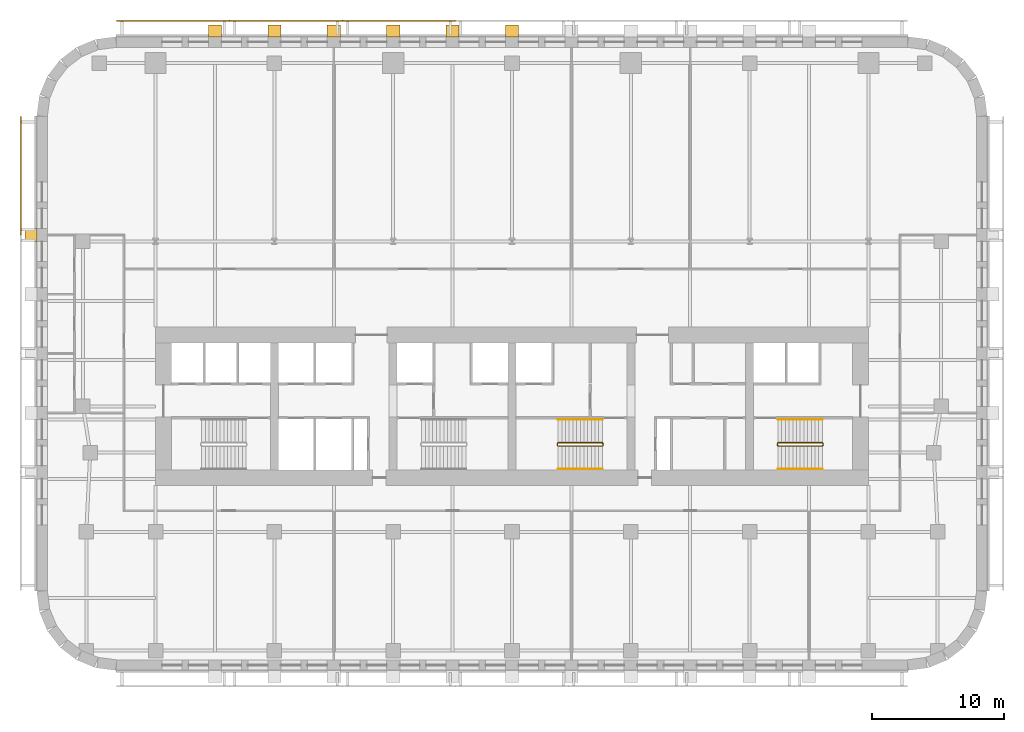
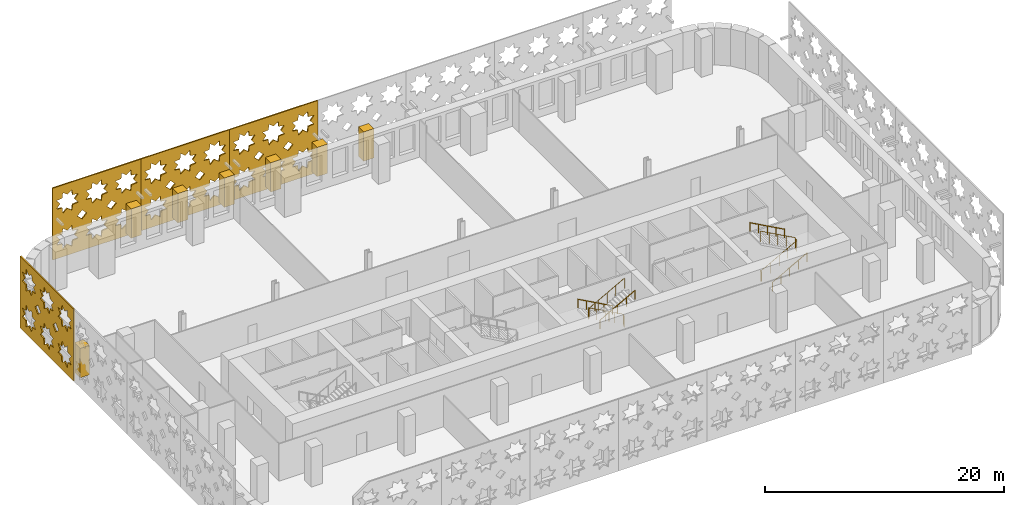
# One storey, part 12 of 14: 11 coverings, 6 railings.
"""IFC4 building model written with IfcOpenShell, lengths in metres."""

from ifc_helpers import new_model, si_unit, direction, frame, origin, origin_2d, place, context, subcontext, project, spatial, polyline, circle, outline, extrude, material, layer, layer_set, type_object, element, save


model = new_model("IFC4")

# Units and contexts
model_context = context("Model", 3, precision=1e-05, world=origin(), true_north=direction((0.0, 1.0)))
body_context = subcontext(model_context, "Body", "Model", "MODEL_VIEW")
ifc_project = project(units=[si_unit("LENGTHUNIT", "METRE"), si_unit("AREAUNIT", "SQUARE_METRE"), si_unit("VOLUMEUNIT", "CUBIC_METRE"), si_unit("PLANEANGLEUNIT", "RADIAN"), si_unit("MASSUNIT", "GRAM", prefix="KILO")], contexts=[model_context])

# Site, building, storey
site_placement = place(None, origin())
site = spatial("IfcSite", under=ifc_project, at=site_placement, CompositionType="ELEMENT")
building_placement = place(site_placement, origin())
building = spatial("IfcBuilding", under=site, at=building_placement, Name="Zellij Exchange Tower", CompositionType="ELEMENT")
storey_placement = place(building_placement, frame((0.0, 0.0, 68.5)))
storey = spatial("IfcBuildingStorey", under=building, at=storey_placement, Name="L13", CompositionType="ELEMENT", Elevation=68.5)

# Railings
ifc_material_1 = material(Name="Stainless steel", Category="steel")
railing_type_1 = type_object("IfcRailingType", Name="CORE-RG stair guard", PredefinedType="GUARDRAIL", material=ifc_material_1)
railing_1_placement = place(storey_placement, frame((6.89990234375, -10.800048828125, 0.0)))
element("IfcRailing", 1, at=railing_1_placement, inside=storey, type_object=railing_type_1, Name="ST3 stair guard L13", PredefinedType="GUARDRAIL", context=body_context, shape_type="SweptSolid", body=[
    extrude(circle(Radius=0.02392578125, at=origin_2d()), frame((0.0, 0.0, 1.076171875), z_axis=(0.0, -1.0, 0.0), x_axis=(1.0, 0.0, 0.0)), (0.0, 0.0, 1.0), 0.14990234375),
    extrude(circle(Radius=0.02392578125, at=origin_2d()), frame((0.0, -0.14990234375, 1.076171875), z_axis=(-0.193691321961, 0.777613689637, 0.598164376644), x_axis=(-0.970351222016, -0.241699205484, 0.0)), (0.0, 0.0, 1.0), 0.257080078125),
    extrude(circle(Radius=0.02392578125, at=origin_2d()), frame((-0.0498046875, 0.050048828125, 1.22998046875), z_axis=(-0.876421534553, 0.0, 0.481544695509), x_axis=(0.0, -1.0, 0.0)), (0.0, 0.0, 1.0), 3.833984375),
    extrude(circle(Radius=0.02392578125, at=origin_2d()), frame((-3.409912109375, 0.050048828125, 3.076171875), z_axis=(-0.707106781187, -0.707106781187, 0.0), x_axis=(0.707106781187, -0.707106781187, 0.0)), (0.0, 0.0, 1.0), 0.07080078125),
    extrude(circle(Radius=0.02392578125, at=origin_2d()), frame((-3.4599609375, 0.0, 3.076171875), z_axis=(0.0, -1.0, 0.0), x_axis=(1.0, 0.0, 0.0)), (0.0, 0.0, 1.0), 0.14990234375),
    extrude(circle(Radius=0.02392578125, at=origin_2d()), frame((-3.4599609375, -0.14990234375, 3.076171875), z_axis=(0.295599637079, -0.295599637079, 0.908428152975), x_axis=(0.707106781187, 0.707106781187, 0.0)), (0.0, 0.0, 1.0), 0.16943359375),
    extrude(circle(Radius=0.02392578125, at=origin_2d()), frame((-3.409912109375, -0.199951171875, 3.22998046875), z_axis=(0.876421534553, 0.0, 0.481544695509), x_axis=(0.0, 1.0, 0.0)), (0.0, 0.0, 1.0), 3.833984375),
    extrude(circle(Radius=0.02099609375, at=origin_2d()), origin(), (0.0, 0.0, 1.0), 1.052001953125),
    extrude(circle(Radius=0.02099609375, at=origin_2d()), frame((0.0, -0.14990234375, 0.0)), (0.0, 0.0, 1.0), 1.052001953125),
    extrude(circle(Radius=0.02099609375, at=origin_2d()), frame((-0.0498046875, 0.050048828125, 0.15380859375)), (0.0, 0.0, 1.0), 1.052001953125),
    extrude(circle(Radius=0.02099609375, at=origin_2d()), frame((-0.889892578125, 0.050048828125, 0.615234375)), (0.0, 0.0, 1.0), 1.052001953125),
    extrude(circle(Radius=0.02099609375, at=origin_2d()), frame((-1.72998046875, 0.050048828125, 1.076904296875)), (0.0, 0.0, 1.0), 1.052001953125),
    extrude(circle(Radius=0.02099609375, at=origin_2d()), frame((-2.56982421875, 0.050048828125, 1.53857421875)), (0.0, 0.0, 1.0), 1.052001953125),
    extrude(circle(Radius=0.02099609375, at=origin_2d()), frame((-3.409912109375, 0.050048828125, 2.0)), (0.0, 0.0, 1.0), 1.052001953125),
    extrude(circle(Radius=0.02099609375, at=origin_2d()), frame((-3.4599609375, 0.0, 2.0)), (0.0, 0.0, 1.0), 1.052001953125),
    extrude(circle(Radius=0.02099609375, at=origin_2d()), frame((-3.4599609375, -0.14990234375, 2.0)), (0.0, 0.0, 1.0), 1.052001953125),
    extrude(circle(Radius=0.02099609375, at=origin_2d()), frame((-3.409912109375, -0.199951171875, 2.15380859375)), (0.0, 0.0, 1.0), 1.052001953125),
    extrude(circle(Radius=0.02099609375, at=origin_2d()), frame((-2.56982421875, -0.199951171875, 2.615234375)), (0.0, 0.0, 1.0), 1.052001953125),
    extrude(circle(Radius=0.02099609375, at=origin_2d()), frame((-1.72998046875, -0.199951171875, 3.076904296875)), (0.0, 0.0, 1.0), 1.052001953125),
    extrude(circle(Radius=0.02099609375, at=origin_2d()), frame((-0.889892578125, -0.199951171875, 3.53857421875)), (0.0, 0.0, 1.0), 1.052001953125),
    extrude(circle(Radius=0.02099609375, at=origin_2d()), frame((-0.0498046875, -0.199951171875, 4.0)), (0.0, 0.0, 1.0), 1.052001953125),
])
railing_2_placement = place(storey_placement, frame((20.10009765625, -10.949951171875, 0.0)))
element("IfcRailing", 2, at=railing_2_placement, inside=storey, type_object=railing_type_1, Name="ST4 stair guard L13", PredefinedType="GUARDRAIL", context=body_context, shape_type="SweptSolid", body=[
    extrude(circle(Radius=0.02392578125, at=origin_2d()), frame((0.0, 0.0, 1.076171875), z_axis=(0.0, 1.0, 0.0), x_axis=(-1.0, 0.0, 0.0)), (0.0, 0.0, 1.0), 0.14990234375),
    extrude(circle(Radius=0.02392578125, at=origin_2d()), frame((0.0, 0.14990234375, 1.076171875), z_axis=(0.193691321961, -0.777613689637, 0.598164376644), x_axis=(0.970351222016, 0.241699205484, 0.0)), (0.0, 0.0, 1.0), 0.257080078125),
    extrude(circle(Radius=0.02392578125, at=origin_2d()), frame((0.0498046875, -0.050048828125, 1.22998046875), z_axis=(0.876421534553, 0.0, 0.481544695509), x_axis=(0.0, 1.0, 0.0)), (0.0, 0.0, 1.0), 3.833984375),
    extrude(circle(Radius=0.02392578125, at=origin_2d()), frame((3.409912109375, -0.050048828125, 3.076171875), z_axis=(0.707106781187, 0.707106781187, 0.0), x_axis=(-0.707106781187, 0.707106781187, 0.0)), (0.0, 0.0, 1.0), 0.07080078125),
    extrude(circle(Radius=0.02392578125, at=origin_2d()), frame((3.4599609375, 0.0, 3.076171875), z_axis=(0.0, 1.0, 0.0), x_axis=(-1.0, 0.0, 0.0)), (0.0, 0.0, 1.0), 0.14990234375),
    extrude(circle(Radius=0.02392578125, at=origin_2d()), frame((3.4599609375, 0.14990234375, 3.076171875), z_axis=(-0.295599637079, 0.295599637079, 0.908428152975), x_axis=(-0.707106781187, -0.707106781187, 0.0)), (0.0, 0.0, 1.0), 0.16943359375),
    extrude(circle(Radius=0.02392578125, at=origin_2d()), frame((3.409912109375, 0.199951171875, 3.22998046875), z_axis=(-0.876421534553, 0.0, 0.481544695509), x_axis=(0.0, -1.0, 0.0)), (0.0, 0.0, 1.0), 3.833984375),
    extrude(circle(Radius=0.02099609375, at=origin_2d()), origin(), (0.0, 0.0, 1.0), 1.052001953125),
    extrude(circle(Radius=0.02099609375, at=origin_2d()), frame((0.0, 0.14990234375, 0.0)), (0.0, 0.0, 1.0), 1.052001953125),
    extrude(circle(Radius=0.02099609375, at=origin_2d()), frame((0.0498046875, -0.050048828125, 0.15380859375)), (0.0, 0.0, 1.0), 1.052001953125),
    extrude(circle(Radius=0.02099609375, at=origin_2d()), frame((0.889892578125, -0.050048828125, 0.615234375)), (0.0, 0.0, 1.0), 1.052001953125),
    extrude(circle(Radius=0.02099609375, at=origin_2d()), frame((1.72998046875, -0.050048828125, 1.076904296875)), (0.0, 0.0, 1.0), 1.052001953125),
    extrude(circle(Radius=0.02099609375, at=origin_2d()), frame((2.56982421875, -0.050048828125, 1.53857421875)), (0.0, 0.0, 1.0), 1.052001953125),
    extrude(circle(Radius=0.02099609375, at=origin_2d()), frame((3.409912109375, -0.050048828125, 2.0)), (0.0, 0.0, 1.0), 1.052001953125),
    extrude(circle(Radius=0.02099609375, at=origin_2d()), frame((3.4599609375, 0.0, 2.0)), (0.0, 0.0, 1.0), 1.052001953125),
    extrude(circle(Radius=0.02099609375, at=origin_2d()), frame((3.4599609375, 0.14990234375, 2.0)), (0.0, 0.0, 1.0), 1.052001953125),
    extrude(circle(Radius=0.02099609375, at=origin_2d()), frame((3.409912109375, 0.199951171875, 2.15380859375)), (0.0, 0.0, 1.0), 1.052001953125),
    extrude(circle(Radius=0.02099609375, at=origin_2d()), frame((2.56982421875, 0.199951171875, 2.615234375)), (0.0, 0.0, 1.0), 1.052001953125),
    extrude(circle(Radius=0.02099609375, at=origin_2d()), frame((1.72998046875, 0.199951171875, 3.076904296875)), (0.0, 0.0, 1.0), 1.052001953125),
    extrude(circle(Radius=0.02099609375, at=origin_2d()), frame((0.889892578125, 0.199951171875, 3.53857421875)), (0.0, 0.0, 1.0), 1.052001953125),
    extrude(circle(Radius=0.02099609375, at=origin_2d()), frame((0.0498046875, 0.199951171875, 4.0)), (0.0, 0.0, 1.0), 1.052001953125),
])
railing_type_2 = type_object("IfcRailingType", Name="CORE-RH stair handrail", PredefinedType="HANDRAIL", material=ifc_material_1)
railing_3_placement = place(storey_placement, frame((6.85009765625, -9.0, 0.15380859375)))
element("IfcRailing", 3, at=railing_3_placement, inside=storey, type_object=railing_type_2, Name="ST3 stair handrail L13", PredefinedType="HANDRAIL", context=body_context, shape_type="SweptSolid", body=[
    extrude(circle(Radius=0.02392578125, at=origin_2d()), frame((0.0, 0.0, 0.8759765625), z_axis=(-0.876421534553, 0.0, 0.481544695509), x_axis=(0.0, -1.0, 0.0)), (0.0, 0.0, 1.0), 3.833984375),
    extrude(circle(Radius=0.02099609375, at=origin_2d()), origin(), (0.0, 0.0, 1.0), 0.851806640625),
    extrude(circle(Radius=0.02099609375, at=origin_2d()), frame((-0.840087890625, 0.0, 0.46142578125)), (0.0, 0.0, 1.0), 0.851806640625),
    extrude(circle(Radius=0.02099609375, at=origin_2d()), frame((-1.68017578125, 0.0, 0.923095703125)), (0.0, 0.0, 1.0), 0.851806640625),
    extrude(circle(Radius=0.02099609375, at=origin_2d()), frame((-2.52001953125, 0.0, 1.384765625)), (0.0, 0.0, 1.0), 0.851806640625),
    extrude(circle(Radius=0.02099609375, at=origin_2d()), frame((-3.360107421875, 0.0, 1.84619140625)), (0.0, 0.0, 1.0), 0.851806640625),
])
for number, where, name in (
    (4, (3.489990234375, -12.75, 2.15380859375), "ST3 stair handrail L13"),
    (5, (20.14990234375, -12.75, 0.15380859375), "ST4 stair handrail L13"),
):
    element("IfcRailing", number, at=place(storey_placement, frame(where)), inside=storey, type_object=railing_type_2, Name=name, PredefinedType="HANDRAIL", context=body_context, shape_type="SweptSolid", body=[
        extrude(circle(Radius=0.02392578125, at=origin_2d()), frame((0.0, 0.0, 0.8759765625), z_axis=(0.876421534553, 0.0, 0.481544695509), x_axis=(0.0, 1.0, 0.0)), (0.0, 0.0, 1.0), 3.833984375),
        extrude(circle(Radius=0.02099609375, at=origin_2d()), origin(), (0.0, 0.0, 1.0), 0.851806640625),
        extrude(circle(Radius=0.02099609375, at=origin_2d()), frame((0.840087890625, 0.0, 0.46142578125)), (0.0, 0.0, 1.0), 0.851806640625),
        extrude(circle(Radius=0.02099609375, at=origin_2d()), frame((1.68017578125, 0.0, 0.923095703125)), (0.0, 0.0, 1.0), 0.851806640625),
        extrude(circle(Radius=0.02099609375, at=origin_2d()), frame((2.52001953125, 0.0, 1.384765625)), (0.0, 0.0, 1.0), 0.851806640625),
        extrude(circle(Radius=0.02099609375, at=origin_2d()), frame((3.360107421875, 0.0, 1.84619140625)), (0.0, 0.0, 1.0), 0.851806640625),
    ])
railing_4_placement = place(storey_placement, frame((23.510009765625, -9.0, 2.15380859375)))
element("IfcRailing", 6, at=railing_4_placement, inside=storey, type_object=railing_type_2, Name="ST4 stair handrail L13", PredefinedType="HANDRAIL", context=body_context, shape_type="SweptSolid", body=[
    extrude(circle(Radius=0.02392578125, at=origin_2d()), frame((0.0, 0.0, 0.8759765625), z_axis=(-0.876421534553, 0.0, 0.481544695509), x_axis=(0.0, -1.0, 0.0)), (0.0, 0.0, 1.0), 3.833984375),
    extrude(circle(Radius=0.02099609375, at=origin_2d()), origin(), (0.0, 0.0, 1.0), 0.851806640625),
    extrude(circle(Radius=0.02099609375, at=origin_2d()), frame((-0.840087890625, 0.0, 0.46142578125)), (0.0, 0.0, 1.0), 0.851806640625),
    extrude(circle(Radius=0.02099609375, at=origin_2d()), frame((-1.68017578125, 0.0, 0.923095703125)), (0.0, 0.0, 1.0), 0.851806640625),
    extrude(circle(Radius=0.02099609375, at=origin_2d()), frame((-2.52001953125, 0.0, 1.384765625)), (0.0, 0.0, 1.0), 0.851806640625),
    extrude(circle(Radius=0.02099609375, at=origin_2d()), frame((-3.360107421875, 0.0, 1.84619140625)), (0.0, 0.0, 1.0), 0.851806640625),
])

# Coverings
ifc_material_2 = material(Name="Limestone cladding", Category="masonry")
covering_type_1 = type_object("IfcCoveringType", Name="ENV-CV2 Stone pier 1000x900", PredefinedType="CLADDING", material=ifc_material_2)
covering_1_placement = place(storey_placement, frame((0.0, 0.0, 0.800048828125)))
element("IfcCovering", 7, at=covering_1_placement, inside=storey, type_object=covering_type_1, Name="Stone pier", PredefinedType="CLADDING", context=body_context, shape_type="SweptSolid", body=[
    extrude(outline(polyline([(0.5, 20.0), (-0.5, 20.0), (-0.5, 20.89990234375), (0.5, 20.89990234375), (0.5, 20.0)])), origin(), (0.0, 0.0, 1.0), 3.0),
])
covering_2_placement = place(storey_placement, frame((0.0, 0.0, 0.800048828125)))
element("IfcCovering", 8, at=covering_2_placement, inside=storey, type_object=covering_type_1, Name="Stone pier", PredefinedType="CLADDING", context=body_context, shape_type="SweptSolid", body=[
    extrude(outline(polyline([(-4.0, 20.0), (-5.0, 20.0), (-5.0, 20.89990234375), (-4.0, 20.89990234375), (-4.0, 20.0)])), origin(), (0.0, 0.0, 1.0), 3.0),
])
covering_3_placement = place(storey_placement, frame((0.0, 0.0, 0.800048828125)))
element("IfcCovering", 9, at=covering_3_placement, inside=storey, type_object=covering_type_1, Name="Stone pier", PredefinedType="CLADDING", context=body_context, shape_type="SweptSolid", body=[
    extrude(outline(polyline([(-8.5, 20.0), (-9.5, 20.0), (-9.5, 20.89990234375), (-8.5, 20.89990234375), (-8.5, 20.0)])), origin(), (0.0, 0.0, 1.0), 3.0),
])
covering_4_placement = place(storey_placement, frame((0.0, 0.0, 0.800048828125)))
element("IfcCovering", 10, at=covering_4_placement, inside=storey, type_object=covering_type_1, Name="Stone pier", PredefinedType="CLADDING", context=body_context, shape_type="SweptSolid", body=[
    extrude(outline(polyline([(-13.0, 20.0), (-14.0, 20.0), (-14.0, 20.89990234375), (-13.0, 20.89990234375), (-13.0, 20.0)])), origin(), (0.0, 0.0, 1.0), 3.0),
])
covering_5_placement = place(storey_placement, frame((0.0, 0.0, 0.800048828125)))
element("IfcCovering", 11, at=covering_5_placement, inside=storey, type_object=covering_type_1, Name="Stone pier", PredefinedType="CLADDING", context=body_context, shape_type="SweptSolid", body=[
    extrude(outline(polyline([(-17.5, 20.0), (-18.5, 20.0), (-18.5, 20.89990234375), (-17.5, 20.89990234375), (-17.5, 20.0)])), origin(), (0.0, 0.0, 1.0), 3.0),
])
covering_6_placement = place(storey_placement, frame((0.0, 0.0, 0.800048828125)))
element("IfcCovering", 12, at=covering_6_placement, inside=storey, type_object=covering_type_1, Name="Stone pier", PredefinedType="CLADDING", context=body_context, shape_type="SweptSolid", body=[
    extrude(outline(polyline([(-22.0, 20.0), (-23.0, 20.0), (-23.0, 20.89990234375), (-22.0, 20.89990234375), (-22.0, 20.0)])), origin(), (0.0, 0.0, 1.0), 3.0),
])
covering_7_placement = place(storey_placement, frame((0.0, 0.0, 0.800048828125)))
element("IfcCovering", 13, at=covering_7_placement, inside=storey, type_object=covering_type_1, Name="Stone pier", PredefinedType="CLADDING", context=body_context, shape_type="SweptSolid", body=[
    extrude(outline(polyline([(-36.0, 5.48681640625), (-36.0, 4.48681640625), (-36.89990234375, 4.48681640625), (-36.89990234375, 5.48681640625), (-36.0, 5.48681640625)])), origin(), (0.0, 0.0, 1.0), 3.0),
])
ifc_material_3 = material(Name="Limestone screen", Category="masonry")
ifc_layer = layer(ifc_material_3, 0.1201171875)
ifc_layer_set = layer_set([ifc_layer], Name="Limestone screen")
covering_type_2 = type_object("IfcCoveringType", Name="ENV-SC1 Pierced stone screen 120", PredefinedType="USERDEFINED", material=ifc_layer_set)
covering_8_placement = place(storey_placement, frame((-37.2099609375, 13.947509765625, 0.300048828125), z_axis=(0.0, 0.0, 1.0), x_axis=(0.0, -1.0, 0.0)))
element("IfcCovering", 14, at=covering_8_placement, inside=storey, type_object=covering_type_2, Name="Pierced stone screen", ObjectType="SCREEN", PredefinedType="USERDEFINED", context=body_context, shape_type="SweptSolid", body=[
    extrude(outline(polyline([(0.0, 0.0), (8.973876953125, 0.0), (8.973876953125, 7.35009765625), (0.0, 7.35009765625), (0.0, 0.0)]), holes=[polyline([(2.60107421875, 2.29541015625), (2.020263671875, 2.362060546875), (1.95361328125, 2.94287109375), (1.49560546875, 2.579345703125), (1.03759765625, 2.94287109375), (0.97119140625, 2.362060546875), (0.39013671875, 2.29541015625), (0.75390625, 1.83740234375), (0.39013671875, 1.379638671875), (0.97119140625, 1.31298828125), (1.03759765625, 0.732177734375), (1.49560546875, 1.095703125), (1.95361328125, 0.732177734375), (2.020263671875, 1.31298828125), (2.60107421875, 1.379638671875), (2.237548828125, 1.83740234375), (2.60107421875, 2.29541015625)]), polyline([(2.60107421875, 5.970458984375), (2.020263671875, 6.037109375), (1.95361328125, 6.617919921875), (1.49560546875, 6.25439453125), (1.03759765625, 6.617919921875), (0.97119140625, 6.037109375), (0.39013671875, 5.970458984375), (0.75390625, 5.512451171875), (0.39013671875, 5.0546875), (0.97119140625, 4.98779296875), (1.03759765625, 4.406982421875), (1.49560546875, 4.770751953125), (1.95361328125, 4.406982421875), (2.020263671875, 4.98779296875), (2.60107421875, 5.0546875), (2.237548828125, 5.512451171875), (2.60107421875, 5.970458984375)]), polyline([(5.59228515625, 2.29541015625), (5.011474609375, 2.362060546875), (4.94482421875, 2.94287109375), (4.48681640625, 2.579345703125), (4.029052734375, 2.94287109375), (3.96240234375, 2.362060546875), (3.381591796875, 2.29541015625), (3.7451171875, 1.83740234375), (3.381591796875, 1.379638671875), (3.96240234375, 1.31298828125), (4.029052734375, 0.732177734375), (4.48681640625, 1.095703125), (4.94482421875, 0.732177734375), (5.011474609375, 1.31298828125), (5.59228515625, 1.379638671875), (5.228759765625, 1.83740234375), (5.59228515625, 2.29541015625)]), polyline([(5.59228515625, 5.970458984375), (5.011474609375, 6.037109375), (4.94482421875, 6.617919921875), (4.48681640625, 6.25439453125), (4.029052734375, 6.617919921875), (3.96240234375, 6.037109375), (3.381591796875, 5.970458984375), (3.7451171875, 5.512451171875), (3.381591796875, 5.0546875), (3.96240234375, 4.98779296875), (4.029052734375, 4.406982421875), (4.48681640625, 4.770751953125), (4.94482421875, 4.406982421875), (5.011474609375, 4.98779296875), (5.59228515625, 5.0546875), (5.228759765625, 5.512451171875), (5.59228515625, 5.970458984375)]), polyline([(8.58349609375, 2.29541015625), (8.002685546875, 2.362060546875), (7.93603515625, 2.94287109375), (7.478271484375, 2.579345703125), (7.020263671875, 2.94287109375), (6.95361328125, 2.362060546875), (6.372802734375, 2.29541015625), (6.736328125, 1.83740234375), (6.372802734375, 1.379638671875), (6.95361328125, 1.31298828125), (7.020263671875, 0.732177734375), (7.478271484375, 1.095703125), (7.93603515625, 0.732177734375), (8.002685546875, 1.31298828125), (8.58349609375, 1.379638671875), (8.219970703125, 1.83740234375), (8.58349609375, 2.29541015625)]), polyline([(8.58349609375, 5.970458984375), (8.002685546875, 6.037109375), (7.93603515625, 6.617919921875), (7.478271484375, 6.25439453125), (7.020263671875, 6.617919921875), (6.95361328125, 6.037109375), (6.372802734375, 5.970458984375), (6.736328125, 5.512451171875), (6.372802734375, 5.0546875), (6.95361328125, 4.98779296875), (7.020263671875, 4.406982421875), (7.478271484375, 4.770751953125), (7.93603515625, 4.406982421875), (8.002685546875, 4.98779296875), (8.58349609375, 5.0546875), (8.219970703125, 5.512451171875), (8.58349609375, 5.970458984375)]), polyline([(3.469970703125, 3.675048828125), (2.9912109375, 4.153564453125), (2.5126953125, 3.675048828125), (2.9912109375, 3.1962890625), (3.469970703125, 3.675048828125)]), polyline([(6.461181640625, 3.675048828125), (5.982421875, 4.153564453125), (5.50390625, 3.675048828125), (5.982421875, 3.1962890625), (6.461181640625, 3.675048828125)])]), frame((0.0, 0.06005859375, 0.0), z_axis=(0.0, -1.0, 0.0), x_axis=(1.0, 0.0, 0.0)), (0.0, 0.0, 1.0), 0.1201171875),
])
covering_9_placement = place(storey_placement, frame((-4.2783203125, 21.2099609375, 0.300048828125), z_axis=(0.0, 0.0, 1.0), x_axis=(-1.0, 0.0, 0.0)))
element("IfcCovering", 15, at=covering_9_placement, inside=storey, type_object=covering_type_2, Name="Pierced stone screen", ObjectType="SCREEN", PredefinedType="USERDEFINED", context=body_context, shape_type="SweptSolid", body=[
    extrude(outline(polyline([(0.0, 0.0), (8.556396484375, 0.0), (8.556396484375, 7.35009765625), (0.0, 7.35009765625), (0.0, 0.0)]), holes=[polyline([(2.47998046875, 2.274169921875), (1.92626953125, 2.337646484375), (1.86279296875, 2.8916015625), (1.426025390625, 2.544921875), (0.989501953125, 2.8916015625), (0.92578125, 2.337646484375), (0.3720703125, 2.274169921875), (0.71875, 1.83740234375), (0.3720703125, 1.40087890625), (0.92578125, 1.33740234375), (0.989501953125, 0.783447265625), (1.426025390625, 1.130126953125), (1.86279296875, 0.783447265625), (1.92626953125, 1.33740234375), (2.47998046875, 1.40087890625), (2.13330078125, 1.83740234375), (2.47998046875, 2.274169921875)]), polyline([(2.47998046875, 5.94921875), (1.92626953125, 6.0126953125), (1.86279296875, 6.56640625), (1.426025390625, 6.2197265625), (0.989501953125, 6.56640625), (0.92578125, 6.0126953125), (0.3720703125, 5.94921875), (0.71875, 5.512451171875), (0.3720703125, 5.075927734375), (0.92578125, 5.01220703125), (0.989501953125, 4.45849609375), (1.426025390625, 4.80517578125), (1.86279296875, 4.45849609375), (1.92626953125, 5.01220703125), (2.47998046875, 5.075927734375), (2.13330078125, 5.512451171875), (2.47998046875, 5.94921875)]), polyline([(5.332275390625, 2.274169921875), (4.7783203125, 2.337646484375), (4.71484375, 2.8916015625), (4.2783203125, 2.544921875), (3.841552734375, 2.8916015625), (3.778076171875, 2.337646484375), (3.22412109375, 2.274169921875), (3.57080078125, 1.83740234375), (3.22412109375, 1.40087890625), (3.778076171875, 1.33740234375), (3.841552734375, 0.783447265625), (4.2783203125, 1.130126953125), (4.71484375, 0.783447265625), (4.7783203125, 1.33740234375), (5.332275390625, 1.40087890625), (4.985595703125, 1.83740234375), (5.332275390625, 2.274169921875)]), polyline([(5.332275390625, 5.94921875), (4.7783203125, 6.0126953125), (4.71484375, 6.56640625), (4.2783203125, 6.2197265625), (3.841552734375, 6.56640625), (3.778076171875, 6.0126953125), (3.22412109375, 5.94921875), (3.57080078125, 5.512451171875), (3.22412109375, 5.075927734375), (3.778076171875, 5.01220703125), (3.841552734375, 4.45849609375), (4.2783203125, 4.80517578125), (4.71484375, 4.45849609375), (4.7783203125, 5.01220703125), (5.332275390625, 5.075927734375), (4.985595703125, 5.512451171875), (5.332275390625, 5.94921875)]), polyline([(8.184326171875, 2.274169921875), (7.630615234375, 2.337646484375), (7.56689453125, 2.8916015625), (7.13037109375, 2.544921875), (6.69384765625, 2.8916015625), (6.630126953125, 2.337646484375), (6.076416015625, 2.274169921875), (6.423095703125, 1.83740234375), (6.076416015625, 1.40087890625), (6.630126953125, 1.33740234375), (6.69384765625, 0.783447265625), (7.13037109375, 1.130126953125), (7.56689453125, 0.783447265625), (7.630615234375, 1.33740234375), (8.184326171875, 1.40087890625), (7.837646484375, 1.83740234375), (8.184326171875, 2.274169921875)]), polyline([(8.184326171875, 5.94921875), (7.630615234375, 6.0126953125), (7.56689453125, 6.56640625), (7.13037109375, 6.2197265625), (6.69384765625, 6.56640625), (6.630126953125, 6.0126953125), (6.076416015625, 5.94921875), (6.423095703125, 5.512451171875), (6.076416015625, 5.075927734375), (6.630126953125, 5.01220703125), (6.69384765625, 4.45849609375), (7.13037109375, 4.80517578125), (7.56689453125, 4.45849609375), (7.630615234375, 5.01220703125), (8.184326171875, 5.075927734375), (7.837646484375, 5.512451171875), (8.184326171875, 5.94921875)]), polyline([(3.30859375, 3.675048828125), (2.852294921875, 4.13134765625), (2.395751953125, 3.675048828125), (2.852294921875, 3.21875), (3.30859375, 3.675048828125)]), polyline([(6.16064453125, 3.675048828125), (5.704345703125, 4.13134765625), (5.248046875, 3.675048828125), (5.704345703125, 3.21875), (6.16064453125, 3.675048828125)])]), frame((0.0, 0.06005859375, 0.0), z_axis=(0.0, -1.0, 0.0), x_axis=(1.0, 0.0, 0.0)), (0.0, 0.0, 1.0), 0.1201171875),
])
covering_10_placement = place(storey_placement, frame((-12.834716796875, 21.2099609375, 0.300048828125), z_axis=(0.0, 0.0, 1.0), x_axis=(-1.0, 0.0, 0.0)))
element("IfcCovering", 16, at=covering_10_placement, inside=storey, type_object=covering_type_2, Name="Pierced stone screen", ObjectType="SCREEN", PredefinedType="USERDEFINED", context=body_context, shape_type="SweptSolid", body=[
    extrude(outline(polyline([(0.0, 0.0), (8.556396484375, 0.0), (8.556396484375, 7.35009765625), (0.0, 7.35009765625), (0.0, 0.0)]), holes=[polyline([(2.47998046875, 2.274169921875), (1.92626953125, 2.337646484375), (1.86279296875, 2.8916015625), (1.426025390625, 2.544921875), (0.989501953125, 2.8916015625), (0.92578125, 2.337646484375), (0.3720703125, 2.274169921875), (0.71875, 1.83740234375), (0.3720703125, 1.40087890625), (0.92578125, 1.33740234375), (0.989501953125, 0.783447265625), (1.426025390625, 1.130126953125), (1.86279296875, 0.783447265625), (1.92626953125, 1.33740234375), (2.47998046875, 1.40087890625), (2.13330078125, 1.83740234375), (2.47998046875, 2.274169921875)]), polyline([(2.47998046875, 5.94921875), (1.92626953125, 6.0126953125), (1.86279296875, 6.56640625), (1.426025390625, 6.2197265625), (0.989501953125, 6.56640625), (0.92578125, 6.0126953125), (0.3720703125, 5.94921875), (0.71875, 5.512451171875), (0.3720703125, 5.075927734375), (0.92578125, 5.01220703125), (0.989501953125, 4.45849609375), (1.426025390625, 4.80517578125), (1.86279296875, 4.45849609375), (1.92626953125, 5.01220703125), (2.47998046875, 5.075927734375), (2.13330078125, 5.512451171875), (2.47998046875, 5.94921875)]), polyline([(5.332275390625, 2.274169921875), (4.7783203125, 2.337646484375), (4.71484375, 2.8916015625), (4.2783203125, 2.544921875), (3.841552734375, 2.8916015625), (3.778076171875, 2.337646484375), (3.22412109375, 2.274169921875), (3.57080078125, 1.83740234375), (3.22412109375, 1.40087890625), (3.778076171875, 1.33740234375), (3.841552734375, 0.783447265625), (4.2783203125, 1.130126953125), (4.71484375, 0.783447265625), (4.7783203125, 1.33740234375), (5.332275390625, 1.40087890625), (4.985595703125, 1.83740234375), (5.332275390625, 2.274169921875)]), polyline([(5.332275390625, 5.94921875), (4.7783203125, 6.0126953125), (4.71484375, 6.56640625), (4.2783203125, 6.2197265625), (3.841552734375, 6.56640625), (3.778076171875, 6.0126953125), (3.22412109375, 5.94921875), (3.57080078125, 5.512451171875), (3.22412109375, 5.075927734375), (3.778076171875, 5.01220703125), (3.841552734375, 4.45849609375), (4.2783203125, 4.80517578125), (4.71484375, 4.45849609375), (4.7783203125, 5.01220703125), (5.332275390625, 5.075927734375), (4.985595703125, 5.512451171875), (5.332275390625, 5.94921875)]), polyline([(8.184326171875, 2.274169921875), (7.630615234375, 2.337646484375), (7.56689453125, 2.8916015625), (7.13037109375, 2.544921875), (6.69384765625, 2.8916015625), (6.630126953125, 2.337646484375), (6.076416015625, 2.274169921875), (6.423095703125, 1.83740234375), (6.076416015625, 1.40087890625), (6.630126953125, 1.33740234375), (6.69384765625, 0.783447265625), (7.13037109375, 1.130126953125), (7.56689453125, 0.783447265625), (7.630615234375, 1.33740234375), (8.184326171875, 1.40087890625), (7.837646484375, 1.83740234375), (8.184326171875, 2.274169921875)]), polyline([(8.184326171875, 5.94921875), (7.630615234375, 6.0126953125), (7.56689453125, 6.56640625), (7.13037109375, 6.2197265625), (6.69384765625, 6.56640625), (6.630126953125, 6.0126953125), (6.076416015625, 5.94921875), (6.423095703125, 5.512451171875), (6.076416015625, 5.075927734375), (6.630126953125, 5.01220703125), (6.69384765625, 4.45849609375), (7.13037109375, 4.80517578125), (7.56689453125, 4.45849609375), (7.630615234375, 5.01220703125), (8.184326171875, 5.075927734375), (7.837646484375, 5.512451171875), (8.184326171875, 5.94921875)]), polyline([(3.30859375, 3.675048828125), (2.852294921875, 4.13134765625), (2.395751953125, 3.675048828125), (2.852294921875, 3.21875), (3.30859375, 3.675048828125)]), polyline([(6.16064453125, 3.675048828125), (5.704345703125, 4.13134765625), (5.248046875, 3.675048828125), (5.704345703125, 3.21875), (6.16064453125, 3.675048828125)])]), frame((0.0, 0.06005859375, 0.0), z_axis=(0.0, -1.0, 0.0), x_axis=(1.0, 0.0, 0.0)), (0.0, 0.0, 1.0), 0.1201171875),
])
covering_11_placement = place(storey_placement, frame((-21.39111328125, 21.2099609375, 0.300048828125), z_axis=(0.0, 0.0, 1.0), x_axis=(-1.0, 0.0, 0.0)))
element("IfcCovering", 17, at=covering_11_placement, inside=storey, type_object=covering_type_2, Name="Pierced stone screen", ObjectType="SCREEN", PredefinedType="USERDEFINED", context=body_context, shape_type="SweptSolid", body=[
    extrude(outline(polyline([(0.0, 0.0), (8.556396484375, 0.0), (8.556396484375, 7.35009765625), (0.0, 7.35009765625), (0.0, 0.0)]), holes=[polyline([(2.47998046875, 2.274169921875), (1.92626953125, 2.337646484375), (1.86279296875, 2.8916015625), (1.426025390625, 2.544921875), (0.989501953125, 2.8916015625), (0.92578125, 2.337646484375), (0.3720703125, 2.274169921875), (0.71875, 1.83740234375), (0.3720703125, 1.40087890625), (0.92578125, 1.33740234375), (0.989501953125, 0.783447265625), (1.426025390625, 1.130126953125), (1.86279296875, 0.783447265625), (1.92626953125, 1.33740234375), (2.47998046875, 1.40087890625), (2.13330078125, 1.83740234375), (2.47998046875, 2.274169921875)]), polyline([(2.47998046875, 5.94921875), (1.92626953125, 6.0126953125), (1.86279296875, 6.56640625), (1.426025390625, 6.2197265625), (0.989501953125, 6.56640625), (0.92578125, 6.0126953125), (0.3720703125, 5.94921875), (0.71875, 5.512451171875), (0.3720703125, 5.075927734375), (0.92578125, 5.01220703125), (0.989501953125, 4.45849609375), (1.426025390625, 4.80517578125), (1.86279296875, 4.45849609375), (1.92626953125, 5.01220703125), (2.47998046875, 5.075927734375), (2.13330078125, 5.512451171875), (2.47998046875, 5.94921875)]), polyline([(5.332275390625, 2.274169921875), (4.7783203125, 2.337646484375), (4.71484375, 2.8916015625), (4.2783203125, 2.544921875), (3.841552734375, 2.8916015625), (3.778076171875, 2.337646484375), (3.22412109375, 2.274169921875), (3.57080078125, 1.83740234375), (3.22412109375, 1.40087890625), (3.778076171875, 1.33740234375), (3.841552734375, 0.783447265625), (4.2783203125, 1.130126953125), (4.71484375, 0.783447265625), (4.7783203125, 1.33740234375), (5.332275390625, 1.40087890625), (4.985595703125, 1.83740234375), (5.332275390625, 2.274169921875)]), polyline([(5.332275390625, 5.94921875), (4.7783203125, 6.0126953125), (4.71484375, 6.56640625), (4.2783203125, 6.2197265625), (3.841552734375, 6.56640625), (3.778076171875, 6.0126953125), (3.22412109375, 5.94921875), (3.57080078125, 5.512451171875), (3.22412109375, 5.075927734375), (3.778076171875, 5.01220703125), (3.841552734375, 4.45849609375), (4.2783203125, 4.80517578125), (4.71484375, 4.45849609375), (4.7783203125, 5.01220703125), (5.332275390625, 5.075927734375), (4.985595703125, 5.512451171875), (5.332275390625, 5.94921875)]), polyline([(8.184326171875, 2.274169921875), (7.630615234375, 2.337646484375), (7.56689453125, 2.8916015625), (7.13037109375, 2.544921875), (6.69384765625, 2.8916015625), (6.630126953125, 2.337646484375), (6.076416015625, 2.274169921875), (6.423095703125, 1.83740234375), (6.076416015625, 1.40087890625), (6.630126953125, 1.33740234375), (6.69384765625, 0.783447265625), (7.13037109375, 1.130126953125), (7.56689453125, 0.783447265625), (7.630615234375, 1.33740234375), (8.184326171875, 1.40087890625), (7.837646484375, 1.83740234375), (8.184326171875, 2.274169921875)]), polyline([(8.184326171875, 5.94921875), (7.630615234375, 6.0126953125), (7.56689453125, 6.56640625), (7.13037109375, 6.2197265625), (6.69384765625, 6.56640625), (6.630126953125, 6.0126953125), (6.076416015625, 5.94921875), (6.423095703125, 5.512451171875), (6.076416015625, 5.075927734375), (6.630126953125, 5.01220703125), (6.69384765625, 4.45849609375), (7.13037109375, 4.80517578125), (7.56689453125, 4.45849609375), (7.630615234375, 5.01220703125), (8.184326171875, 5.075927734375), (7.837646484375, 5.512451171875), (8.184326171875, 5.94921875)]), polyline([(3.30859375, 3.675048828125), (2.852294921875, 4.13134765625), (2.395751953125, 3.675048828125), (2.852294921875, 3.21875), (3.30859375, 3.675048828125)]), polyline([(6.16064453125, 3.675048828125), (5.704345703125, 4.13134765625), (5.248046875, 3.675048828125), (5.704345703125, 3.21875), (6.16064453125, 3.675048828125)])]), frame((0.0, 0.06005859375, 0.0), z_axis=(0.0, -1.0, 0.0), x_axis=(1.0, 0.0, 0.0)), (0.0, 0.0, 1.0), 0.1201171875),
])

save(model, "model.ifc")
